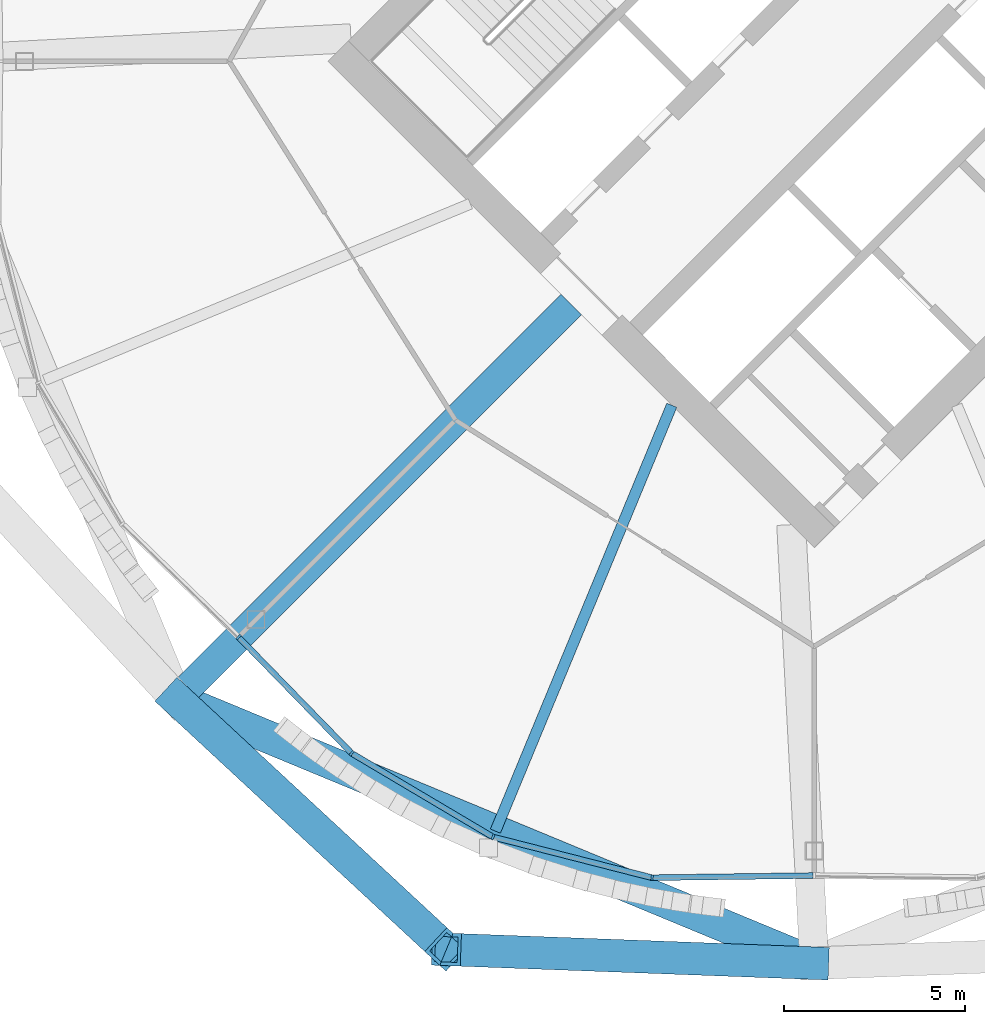
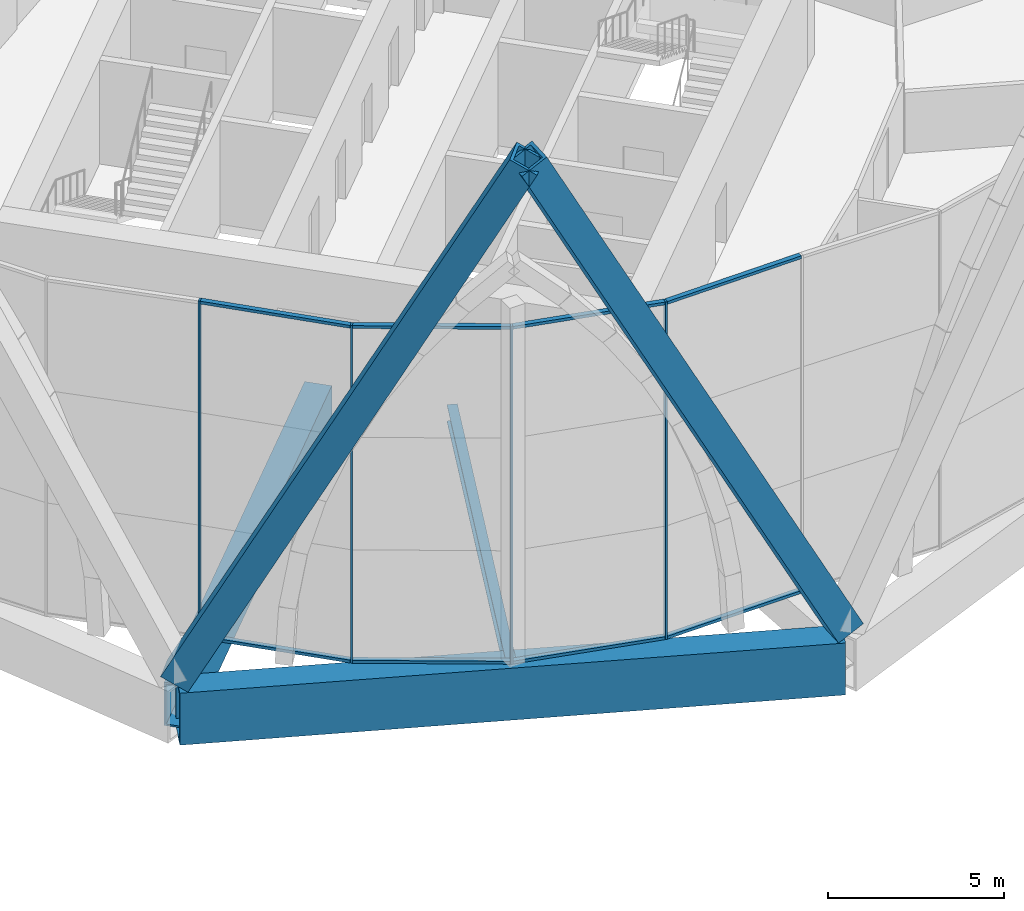
# One storey, part 15 of 37: 14 members, 3 beams, 2 elements without a shape of their own.
"""IFC4 building model written with IfcOpenShell, lengths in metres."""

from ifc_helpers import new_model, si_unit, direction, frame, origin, origin_2d, place, context, subcontext, project, spatial, rectangle, hollow_rectangle, i_section, extrude, material, material_profile, profile_set, type_object, element, aggregate, save


model = new_model("IFC4")

# Units and contexts
model_context = context("Model", 3, precision=1e-05, world=origin(), true_north=direction((0.0, 1.0)))
body_context = subcontext(model_context, "Body", "Model", "MODEL_VIEW")
ifc_project = project(units=[si_unit("LENGTHUNIT", "METRE"), si_unit("AREAUNIT", "SQUARE_METRE"), si_unit("VOLUMEUNIT", "CUBIC_METRE"), si_unit("PLANEANGLEUNIT", "RADIAN"), si_unit("MASSUNIT", "GRAM", prefix="KILO")], contexts=[model_context])

# Site, building, storey
site_placement = place(None, origin())
site = spatial("IfcSite", under=ifc_project, at=site_placement, CompositionType="ELEMENT")
building_placement = place(site_placement, origin())
building = spatial("IfcBuilding", under=site, at=building_placement, Name="Ogive Gate Towers", CompositionType="ELEMENT")
storey_placement = place(building_placement, frame((0.0, 0.0, 32.39990234375)))
storey = spatial("IfcBuildingStorey", under=building, at=storey_placement, Name="L06", CompositionType="ELEMENT", Elevation=32.39990234375)

# Members
ifc_material_1 = material(Name="Steel SM460", Category="steel")
ifc_material_profile_1 = material_profile(ifc_material_1, hollow_rectangle(XDim=0.89990234375, YDim=0.89990234375, WallThickness=0.10009765625, at=origin_2d()), Name="BX 900x900x100")
ifc_profile_set_1 = profile_set([ifc_material_profile_1], Name="Steel SM460")
member_type_1 = type_object("IfcMemberType", Name="Diagrid diagonal BX 900x900x100", PredefinedType="BRACE", material=ifc_profile_set_1)
for number, where, z_axis, x_axis, name in (
    (1, (18.385986328125, -17.614013671875, 0.0), (0.338942066201, -0.31444089886, 0.886704684144), (0.68011301839, 0.733107278791, 0.0), "T2/L06/SDG012"),
    (2, (36.0, -24.909912109375, 0.0), (-0.462004857089, 0.017318521171, 0.886708283964), (-0.037459273404, -0.999298155125, 0.0), "T2/L06/SDG013"),
):
    element("IfcMember", number, at=place(storey_placement, frame(where, z_axis=z_axis, x_axis=x_axis)), inside=storey, type_object=member_type_1, Name=name, PredefinedType="BRACE", context=body_context, shape_type="SweptSolid", body=[
        extrude(hollow_rectangle(XDim=0.89990234375, YDim=0.89990234375, WallThickness=0.10009765625, at=origin_2d()), origin(), (0.0, 0.0, 1.0), 21.991455078125),
    ])

# Beams
ifc_material_profile_2 = material_profile(ifc_material_1, hollow_rectangle(XDim=0.89990234375, YDim=1.800048828125, WallThickness=0.080078125, at=origin_2d()), Name="BX 1800x900x80")
ifc_profile_set_2 = profile_set([ifc_material_profile_2], Name="Steel SM460")
beam_type_1 = type_object("IfcBeamType", Name="Edge girder BX 1800x900x80", PredefinedType="BEAM", material=ifc_profile_set_2)
beam_1_placement = place(storey_placement, frame((18.385986328125, -17.614013671875, -1.199951171875), z_axis=(0.923880736283, -0.382680526191, 0.0), x_axis=(0.382680526191, 0.923880736283, 0.0)))
element("IfcBeam", 3, at=beam_1_placement, inside=storey, type_object=beam_type_1, Name="T2/L06/SBM017", PredefinedType="BEAM", context=body_context, shape_type="SweptSolid", body=[
    extrude(hollow_rectangle(XDim=0.89990234375, YDim=1.800048828125, WallThickness=0.080078125, at=origin_2d()), origin(), (0.0, 0.0, 1.0), 19.065185546875),
])
ifc_material_2 = material(Name="Steel SM355", Category="steel")
ifc_material_profile_3 = material_profile(ifc_material_2, i_section(OverallWidth=0.300048828125, OverallDepth=0.590087890625, WebThickness=0.012939453125, FlangeThickness=0.02490234375, FilletRadius=0.027099609375, at=origin_2d()), Name="HE 600 A")
ifc_profile_set_3 = profile_set([ifc_material_profile_3], Name="Steel SM355")
beam_type_2 = type_object("IfcBeamType", Name="Radial floor beam HE 600 A", PredefinedType="BEAM", material=ifc_profile_set_3)
beam_2_placement = place(storey_placement, frame((32.06494140625, -9.5, -0.594970703125), z_axis=(-0.382690523214, -0.923876595354, 0.0), x_axis=(0.923876595354, -0.382690523214, 0.0)))
element("IfcBeam", 4, at=beam_2_placement, inside=storey, type_object=beam_type_2, Name="T2/L06/SBM002", PredefinedType="BEAM", context=body_context, shape_type="SweptSolid", body=[
    extrude(i_section(OverallWidth=0.300048828125, OverallDepth=0.590087890625, WebThickness=0.012939453125, FlangeThickness=0.02490234375, FilletRadius=0.027099609375, at=origin_2d()), origin(), (0.0, 0.0, 1.0), 12.731201171875),
])

# Curtain wall, member
ifc_material_3 = material(Name="Pale metal aluminium", Category="aluminium")
curtain_wall_type = type_object("IfcCurtainWallType", Name="Tower unitised wall, low zone", PredefinedType="NOTDEFINED", material=ifc_material_3)
curtain_wall_1_placement = place(storey_placement, origin())
curtain_wall_1 = element("IfcCurtainWall", 5, at=curtain_wall_1_placement, inside=storey, type_object=curtain_wall_type, Name="CW1 T2 ECW05", PredefinedType="NOTDEFINED")
ifc_material_profile_4 = material_profile(ifc_material_3, rectangle(XDim=0.159912109375, YDim=0.06005859375, at=origin_2d()), Name="60 x 160 aluminium box")
ifc_profile_set_4 = profile_set([ifc_material_profile_4], Name="Pale metal aluminium")
member_type_2 = type_object("IfcMemberType", Name="Tower unitised wall, low zone mullion 60 x 160", PredefinedType="MULLION", material=ifc_profile_set_4)
member_1_placement = place(storey_placement, frame((20.096923828125, -15.902587890625, -0.2998046875), z_axis=(0.0, 0.0, 1.0), x_axis=(-0.697590403399, -0.716496775349, 0.0)))
member_1 = element("IfcMember", 6, at=member_1_placement, type_object=member_type_2, Name="CW1 mullion", PredefinedType="MULLION", context=body_context, shape_type="SweptSolid", body=[
    extrude(rectangle(XDim=0.159912109375, YDim=0.06005859375, at=origin_2d()), origin(), (0.0, 0.0, 1.0), 11.699951171875),
])
aggregate(curtain_wall_1, [member_1])

# Curtain wall, members
curtain_wall_2_placement = place(storey_placement, origin())
curtain_wall_2 = element("IfcCurtainWall", 7, at=curtain_wall_2_placement, inside=storey, type_object=curtain_wall_type, Name="CW1 T2 ECW06", PredefinedType="NOTDEFINED")
member_2_placement = place(storey_placement, frame((23.221923828125, -19.112548828125, -0.2998046875), z_axis=(0.0, 0.0, 1.0), x_axis=(-0.61853182984, -0.785759744117, 0.0)))
member_2 = element("IfcMember", 8, at=member_2_placement, type_object=member_type_2, Name="CW1 mullion", PredefinedType="MULLION", context=body_context, shape_type="SweptSolid", body=[
    extrude(rectangle(XDim=0.159912109375, YDim=0.06005859375, at=origin_2d()), origin(), (0.0, 0.0, 1.0), 11.699951171875),
])
member_3_placement = place(storey_placement, frame((27.125244140625, -21.42578125, -0.2998046875), z_axis=(0.0, 0.0, 1.0), x_axis=(-0.382683432365, -0.923879532511, 0.0)))
member_3 = element("IfcMember", 9, at=member_3_placement, type_object=member_type_2, Name="CW1 mullion", PredefinedType="MULLION", context=body_context, shape_type="SweptSolid", body=[
    extrude(rectangle(XDim=0.159912109375, YDim=0.06005859375, at=origin_2d()), origin(), (0.0, 0.0, 1.0), 11.699951171875),
])
member_4_placement = place(storey_placement, frame((31.52099609375, -22.550048828125, -0.2998046875), z_axis=(0.0, 0.0, 1.0), x_axis=(-0.118247992189, -0.992984094708, 0.0)))
member_4 = element("IfcMember", 10, at=member_4_placement, type_object=member_type_2, Name="CW1 mullion", PredefinedType="MULLION", context=body_context, shape_type="SweptSolid", body=[
    extrude(rectangle(XDim=0.159912109375, YDim=0.06005859375, at=origin_2d()), origin(), (0.0, 0.0, 1.0), 11.699951171875),
])
ifc_material_profile_5 = material_profile(ifc_material_3, rectangle(XDim=0.159912109375, YDim=0.10009765625, at=origin_2d()), Name="100 x 160 aluminium box")
ifc_profile_set_5 = profile_set([ifc_material_profile_5], Name="Pale metal aluminium")
member_type_3 = type_object("IfcMemberType", Name="Tower unitised wall, low zone transom 100 x 160", PredefinedType="USERDEFINED", material=ifc_profile_set_5)
member_5_placement = place(storey_placement, frame((20.118408203125, -15.924560546875, 11.35009765625), z_axis=(0.697574167313, -0.716512582651, 0.0), x_axis=(0.716512582651, 0.697574167313, 0.0)))
member_5 = element("IfcMember", 11, at=member_5_placement, type_object=member_type_3, Name="CW1 transom", ObjectType="TRANSOM", PredefinedType="USERDEFINED", context=body_context, shape_type="SweptSolid", body=[
    extrude(rectangle(XDim=0.159912109375, YDim=0.10009765625, at=origin_2d()), origin(), (0.0, 0.0, 1.0), 4.421630859375),
])
member_6_placement = place(storey_placement, frame((20.118408203125, -15.924560546875, -0.25), z_axis=(0.697574167313, -0.716512582651, 0.0), x_axis=(0.716512582651, 0.697574167313, 0.0)))
member_6 = element("IfcMember", 12, at=member_6_placement, type_object=member_type_3, Name="CW1 transom", ObjectType="TRANSOM", PredefinedType="USERDEFINED", context=body_context, shape_type="SweptSolid", body=[
    extrude(rectangle(XDim=0.159912109375, YDim=0.10009765625, at=origin_2d()), origin(), (0.0, 0.0, 1.0), 4.421630859375),
])
member_7_placement = place(storey_placement, frame((23.24560546875, -19.126220703125, 11.35009765625), z_axis=(0.860267645697, -0.509842699042, 0.0), x_axis=(0.509842699042, 0.860267645697, 0.0)))
member_7 = element("IfcMember", 13, at=member_7_placement, type_object=member_type_3, Name="CW1 transom", ObjectType="TRANSOM", PredefinedType="USERDEFINED", context=body_context, shape_type="SweptSolid", body=[
    extrude(rectangle(XDim=0.159912109375, YDim=0.10009765625, at=origin_2d()), origin(), (0.0, 0.0, 1.0), 4.482666015625),
])
member_8_placement = place(storey_placement, frame((23.24560546875, -19.126220703125, -0.25), z_axis=(0.860267645697, -0.509842699042, 0.0), x_axis=(0.509842699042, 0.860267645697, 0.0)))
member_8 = element("IfcMember", 14, at=member_8_placement, type_object=member_type_3, Name="CW1 transom", ObjectType="TRANSOM", PredefinedType="USERDEFINED", context=body_context, shape_type="SweptSolid", body=[
    extrude(rectangle(XDim=0.159912109375, YDim=0.10009765625, at=origin_2d()), origin(), (0.0, 0.0, 1.0), 4.482666015625),
])
member_9_placement = place(storey_placement, frame((27.151611328125, -21.432373046875, 11.35009765625), z_axis=(0.968808178302, -0.24781185132, 0.0), x_axis=(0.24781185132, 0.968808178302, 0.0)))
member_9 = element("IfcMember", 15, at=member_9_placement, type_object=member_type_3, Name="CW1 transom", ObjectType="TRANSOM", PredefinedType="USERDEFINED", context=body_context, shape_type="SweptSolid", body=[
    extrude(rectangle(XDim=0.159912109375, YDim=0.10009765625, at=origin_2d()), origin(), (0.0, 0.0, 1.0), 4.482666015625),
])
member_10_placement = place(storey_placement, frame((27.151611328125, -21.432373046875, -0.25), z_axis=(0.968808178302, -0.24781185132, 0.0), x_axis=(0.24781185132, 0.968808178302, 0.0)))
member_10 = element("IfcMember", 16, at=member_10_placement, type_object=member_type_3, Name="CW1 transom", ObjectType="TRANSOM", PredefinedType="USERDEFINED", context=body_context, shape_type="SweptSolid", body=[
    extrude(rectangle(XDim=0.159912109375, YDim=0.10009765625, at=origin_2d()), origin(), (0.0, 0.0, 1.0), 4.482666015625),
])
member_11_placement = place(storey_placement, frame((31.54833984375, -22.549560546875, 11.35009765625), z_axis=(0.99991072997, 0.013361590097, 0.0), x_axis=(-0.013361590097, 0.99991072997, 0.0)))
member_11 = element("IfcMember", 17, at=member_11_placement, type_object=member_type_3, Name="CW1 transom", ObjectType="TRANSOM", PredefinedType="USERDEFINED", context=body_context, shape_type="SweptSolid", body=[
    extrude(rectangle(XDim=0.159912109375, YDim=0.10009765625, at=origin_2d()), origin(), (0.0, 0.0, 1.0), 4.421875),
])
member_12_placement = place(storey_placement, frame((31.54833984375, -22.549560546875, -0.25), z_axis=(0.99991072997, 0.013361590097, 0.0), x_axis=(-0.013361590097, 0.99991072997, 0.0)))
member_12 = element("IfcMember", 18, at=member_12_placement, type_object=member_type_3, Name="CW1 transom", ObjectType="TRANSOM", PredefinedType="USERDEFINED", context=body_context, shape_type="SweptSolid", body=[
    extrude(rectangle(XDim=0.159912109375, YDim=0.10009765625, at=origin_2d()), origin(), (0.0, 0.0, 1.0), 4.421875),
])
aggregate(curtain_wall_2, [member_2, member_5, member_6, member_3, member_7, member_8, member_4, member_9, member_10, member_11, member_12])

# Beam
ifc_material_profile_6 = material_profile(ifc_material_1, hollow_rectangle(XDim=0.800048828125, YDim=1.5, WallThickness=0.06005859375, at=origin_2d()), Name="BX 1500x800x60")
ifc_profile_set_6 = profile_set([ifc_material_profile_6], Name="Steel SM460")
beam_type_3 = type_object("IfcBeamType", Name="Transfer radial beam BX 1500x800x60", PredefinedType="BEAM", material=ifc_profile_set_6)
beam_3_placement = place(storey_placement, frame((29.282470703125, -6.717529296875, -1.0498046875), z_axis=(-0.707106781187, -0.707106781187, 0.0), x_axis=(0.707106781187, -0.707106781187, 0.0)))
element("IfcBeam", 19, at=beam_3_placement, inside=storey, type_object=beam_type_3, Name="T2/L06/SBM001", PredefinedType="BEAM", context=body_context, shape_type="SweptSolid", body=[
    extrude(hollow_rectangle(XDim=0.800048828125, YDim=1.5, WallThickness=0.06005859375, at=origin_2d()), origin(), (0.0, 0.0, 1.0), 15.409912109375),
])

save(model, "model.ifc")
